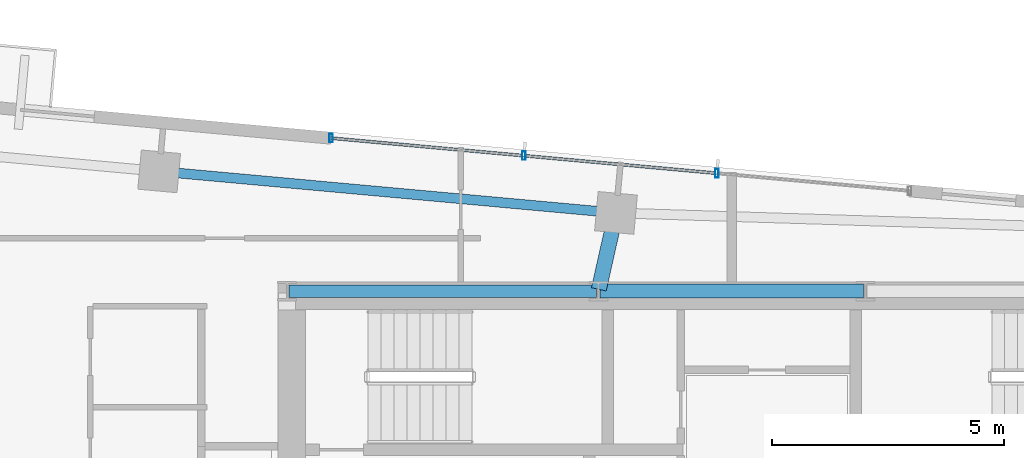
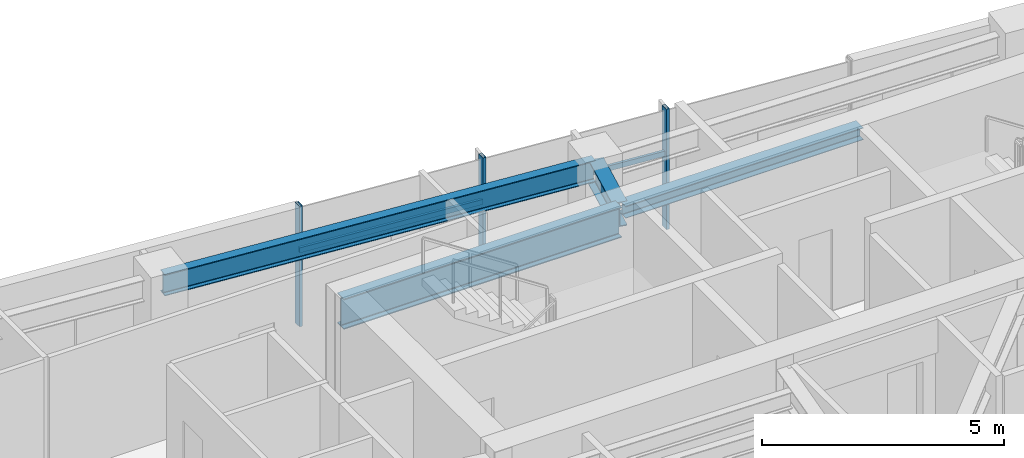
# One storey, part 10 of 22: 5 members, 4 beams, 1 element without a shape of its own.
"""IFC4 building model written with IfcOpenShell, lengths in metres."""

from ifc_helpers import new_model, si_unit, direction, frame, origin, origin_2d, place, context, subcontext, project, spatial, hollow_rectangle, i_section, extrude, source, transform, mapped, material, material_profile, profile_set, type_object, type_shapes, element, aggregate, save


model = new_model("IFC4")

# Units and contexts
model_context = context("Model", 3, precision=1e-05, world=origin(), true_north=direction((0.0, 1.0)))
body_context = subcontext(model_context, "Body", "Model", "MODEL_VIEW")
ifc_project = project(units=[si_unit("LENGTHUNIT", "METRE"), si_unit("AREAUNIT", "SQUARE_METRE"), si_unit("VOLUMEUNIT", "CUBIC_METRE"), si_unit("PLANEANGLEUNIT", "RADIAN"), si_unit("MASSUNIT", "GRAM", prefix="KILO")], contexts=[model_context])

# Site, building, storey
site_placement = place(None, origin())
site = spatial("IfcSite", under=ifc_project, at=site_placement, CompositionType="ELEMENT")
building_placement = place(site_placement, origin())
building = spatial("IfcBuilding", under=site, at=building_placement, Name="Astriad Promenade Condominiums", CompositionType="ELEMENT")
storey_placement = place(building_placement, frame((0.0, 0.0, 226.5)))
storey = spatial("IfcBuildingStorey", under=building, at=storey_placement, Name="L65", CompositionType="ELEMENT", Elevation=226.5)

# Beams
ifc_material_1 = material(Name="Steel ASTM A992 Grade 50", Category="steel")
ifc_material_profile_1 = material_profile(ifc_material_1, i_section(OverallWidth=0.267822265625, OverallDepth=0.76953125, WebThickness=0.015625, FlangeThickness=0.025390625, FilletRadius=0.021484375, at=origin_2d()), Name="W30X132")
ifc_profile_set_1 = profile_set([ifc_material_profile_1], Name="Steel ASTM A992 Grade 50")
beam_type_1 = type_object("IfcBeamType", Name="STEEL FLOOR GIRDER W30X132", PredefinedType="BEAM", material=ifc_profile_set_1)
shared_shape_1 = source(origin(), body_context, "Body", "SweptSolid", [
    extrude(i_section(OverallWidth=0.267822265625, OverallDepth=0.76953125, WebThickness=0.015625, FlangeThickness=0.025390625, FilletRadius=0.021484375, at=origin_2d()), origin(), (0.0, 0.0, 1.0), 6.64013671875),
])
type_shapes(beam_type_1, [shared_shape_1])
beam_1_placement = place(storey_placement, frame((26.43994140625, 24.0, 2.6552734375), z_axis=(1.0, 0.0, 0.0), x_axis=(0.0, 1.0, 0.0)))
element("IfcBeam", 1, at=beam_1_placement, inside=storey, type_object=beam_type_1, Name="Core Ring Beam CG-N1-L65", PredefinedType="BEAM", context=body_context, shape_type="MappedRepresentation", body=[
    mapped(shared_shape_1, transform((0.0, 0.0, 0.0), scale=1.0)),
])
ifc_material_profile_2 = material_profile(ifc_material_1, i_section(OverallWidth=0.3046875, OverallDepth=0.307861328125, WebThickness=0.010009765625, FlangeThickness=0.015380859375, FilletRadius=0.01513671875, at=origin_2d()), Name="W12X65")
ifc_profile_set_2 = profile_set([ifc_material_profile_2], Name="Steel ASTM A992 Grade 50")
beam_type_2 = type_object("IfcBeamType", Name="STEEL OPENING LINTEL W12X65", PredefinedType="LINTEL", material=ifc_profile_set_2)
shared_shape_2 = source(origin(), body_context, "Body", "SweptSolid", [
    extrude(i_section(OverallWidth=0.3046875, OverallDepth=0.307861328125, WebThickness=0.010009765625, FlangeThickness=0.015380859375, FilletRadius=0.01513671875, at=origin_2d()), origin(), (0.0, 0.0, 1.0), 5.68017578125),
])
type_shapes(beam_type_2, [shared_shape_2])
beam_2_placement = place(storey_placement, frame((33.159912109375, 24.0, 2.885986328125), z_axis=(1.0, 0.0, 0.0), x_axis=(0.0, 1.0, 0.0)))
element("IfcBeam", 2, at=beam_2_placement, inside=storey, type_object=beam_type_2, Name="Core Ring Beam CG-N2-L65", PredefinedType="LINTEL", context=body_context, shape_type="MappedRepresentation", body=[
    mapped(shared_shape_2, transform((0.0, 0.0, 0.0), scale=1.0)),
])
ifc_material_profile_3 = material_profile(ifc_material_1, i_section(OverallWidth=0.210693359375, OverallDepth=0.53955078125, WebThickness=0.01171875, FlangeThickness=0.018798828125, FilletRadius=0.0166015625, at=origin_2d()), Name="W21X73")
ifc_profile_set_3 = profile_set([ifc_material_profile_3], Name="Steel ASTM A992 Grade 50")
beam_type_3 = type_object("IfcBeamType", Name="STEEL SPANDREL BEAM W21X73", PredefinedType="SPANDREL", material=ifc_profile_set_3)
shared_shape_3 = source(origin(), body_context, "Body", "SweptSolid", [
    extrude(i_section(OverallWidth=0.210693359375, OverallDepth=0.53955078125, WebThickness=0.01171875, FlangeThickness=0.018798828125, FilletRadius=0.0166015625, at=origin_2d()), origin(), (0.0, 0.0, 1.0), 9.820068359375),
])
type_shapes(beam_type_3, [shared_shape_3])
beam_3_placement = place(storey_placement, frame((33.4599609375, 25.69189453125, 2.770263671875), z_axis=(-0.995885663174, 0.090618683965, 0.0), x_axis=(-0.090618683965, -0.995885663174, 0.0)))
element("IfcBeam", 3, at=beam_3_placement, inside=storey, type_object=beam_type_3, Name="Perimeter Spandrel Beam SP-N2-L65", PredefinedType="SPANDREL", context=body_context, shape_type="MappedRepresentation", body=[
    mapped(shared_shape_3, transform((0.0, 0.0, 0.0), scale=1.0)),
])
ifc_material_profile_4 = material_profile(ifc_material_1, i_section(OverallWidth=0.326416015625, OverallDepth=0.621826171875, WebThickness=0.015380859375, FlangeThickness=0.0244140625, FilletRadius=0.017822265625, at=origin_2d()), Name="W24X131")
ifc_profile_set_4 = profile_set([ifc_material_profile_4], Name="Steel ASTM A992 Grade 50")
beam_type_4 = type_object("IfcBeamType", Name="STEEL FLOOR GIRDER W24X131", PredefinedType="BEAM", material=ifc_profile_set_4)
shared_shape_4 = source(origin(), body_context, "Body", "SweptSolid", [
    extrude(i_section(OverallWidth=0.326416015625, OverallDepth=0.621826171875, WebThickness=0.015380859375, FlangeThickness=0.0244140625, FilletRadius=0.017822265625, at=origin_2d()), origin(), (0.0, 0.0, 1.0), 1.650390625),
])
type_shapes(beam_type_4, [shared_shape_4])
beam_4_placement = place(storey_placement, frame((33.490966796875, 25.649169921875, 2.72900390625), z_axis=(-0.219388986766, -0.975637469804, 0.0), x_axis=(0.975637469804, -0.219388986766, 0.0)))
element("IfcBeam", 4, at=beam_4_placement, inside=storey, type_object=beam_type_4, Name="Primary Floor Girder PG-NC-L65", PredefinedType="BEAM", context=body_context, shape_type="MappedRepresentation", body=[
    mapped(shared_shape_4, transform((0.0, 0.0, 0.0), scale=1.0)),
])

# Curtain wall, members
ifc_material_2 = material(Name="Anodised aluminium Black Dark Glass Unitised", Category="aluminium")
curtain_wall_type = type_object("IfcCurtainWallType", Name="CW-B5-DARK", PredefinedType="USERDEFINED", material=ifc_material_2)
curtain_wall_placement = place(storey_placement, origin())
curtain_wall = element("IfcCurtainWall", 5, at=curtain_wall_placement, inside=storey, type_object=curtain_wall_type, Name="CW-L65-N", ObjectType="UNITISED_CURTAIN_WALL", PredefinedType="USERDEFINED")
ifc_material_3 = material(Name="Anodised aluminium 6063-T6 Black", Category="aluminium")
ifc_material_profile_5 = material_profile(ifc_material_3, hollow_rectangle(XDim=0.06494140625, YDim=0.1298828125, WallThickness=0.00390625, at=origin_2d()), Name="ALU-TRN-65X130")
ifc_profile_set_5 = profile_set([ifc_material_profile_5], Name="Anodised aluminium 6063-T6 Black")
member_type_1 = type_object("IfcMemberType", Name="TRN-ALU-TRN-65X130", PredefinedType="USERDEFINED", material=ifc_profile_set_5)
shared_shape_5 = source(origin(), body_context, "Body", "SweptSolid", [
    extrude(hollow_rectangle(XDim=0.06494140625, YDim=0.1298828125, WallThickness=0.00390625, at=origin_2d()), origin(), (0.0, 0.0, 1.0), 4.179931640625),
])
type_shapes(member_type_1, [shared_shape_5])
member_1_placement = place(storey_placement, frame((27.3505859375, 27.30224609375, 1.884765625), z_axis=(0.995883146811, -0.090646334165, 0.0), x_axis=(0.090646334165, 0.995883146811, 0.0)))
member_1 = element("IfcMember", 6, at=member_1_placement, type_object=member_type_1, Name="CW-L65-N-TRN-00-0", ObjectType="TRANSOM", PredefinedType="USERDEFINED", context=body_context, shape_type="MappedRepresentation", body=[
    mapped(shared_shape_5, transform((0.0, 0.0, 0.0), scale=1.0)),
])
member_2_placement = place(storey_placement, frame((31.513427734375, 26.92333984375, 1.884765625), z_axis=(0.995883146811, -0.090646334165, 0.0), x_axis=(0.090646334165, 0.995883146811, 0.0)))
member_2 = element("IfcMember", 7, at=member_2_placement, type_object=member_type_1, Name="CW-L65-N-TRN-01-0", ObjectType="TRANSOM", PredefinedType="USERDEFINED", context=body_context, shape_type="MappedRepresentation", body=[
    mapped(shared_shape_5, transform((0.0, 0.0, 0.0), scale=1.0)),
])
ifc_material_profile_6 = material_profile(ifc_material_3, hollow_rectangle(XDim=0.074951171875, YDim=0.18505859375, WallThickness=0.00439453125, at=origin_2d()), Name="ALU-MUL-75X185")
ifc_profile_set_6 = profile_set([ifc_material_profile_6], Name="Anodised aluminium 6063-T6 Black")
member_type_2 = type_object("IfcMemberType", Name="MUL-ALU-MUL-75X185", PredefinedType="MULLION", material=ifc_profile_set_6)
shared_shape_6 = source(origin(), body_context, "Body", "SweptSolid", [
    extrude(hollow_rectangle(XDim=0.074951171875, YDim=0.18505859375, WallThickness=0.00439453125, at=origin_2d()), origin(), (0.0, 0.0, 1.0), 3.0400390625),
])
type_shapes(member_type_2, [shared_shape_6])
member_3_placement = place(storey_placement, frame((27.3505859375, 27.30224609375, 0.0), z_axis=(0.0, 0.0, 1.0), x_axis=(1.0, 0.0, 0.0)))
member_3 = element("IfcMember", 8, at=member_3_placement, type_object=member_type_2, Name="CW-L65-N-MUL-00", PredefinedType="MULLION", context=body_context, shape_type="MappedRepresentation", body=[
    mapped(shared_shape_6, transform((0.0, 0.0, 0.0), scale=1.0)),
])
member_4_placement = place(storey_placement, frame((31.513427734375, 26.92333984375, 0.0), z_axis=(0.0, 0.0, 1.0), x_axis=(1.0, 0.0, 0.0)))
member_4 = element("IfcMember", 9, at=member_4_placement, type_object=member_type_2, Name="CW-L65-N-MUL-01", PredefinedType="MULLION", context=body_context, shape_type="MappedRepresentation", body=[
    mapped(shared_shape_6, transform((0.0, 0.0, 0.0), scale=1.0)),
])
member_5_placement = place(storey_placement, frame((35.67626953125, 26.54443359375, 0.0), z_axis=(0.0, 0.0, 1.0), x_axis=(1.0, 0.0, 0.0)))
member_5 = element("IfcMember", 10, at=member_5_placement, type_object=member_type_2, Name="CW-L65-N-MUL-02", PredefinedType="MULLION", context=body_context, shape_type="MappedRepresentation", body=[
    mapped(shared_shape_6, transform((0.0, 0.0, 0.0), scale=1.0)),
])
aggregate(curtain_wall, [member_3, member_4, member_5, member_1, member_2])

save(model, "model.ifc")
